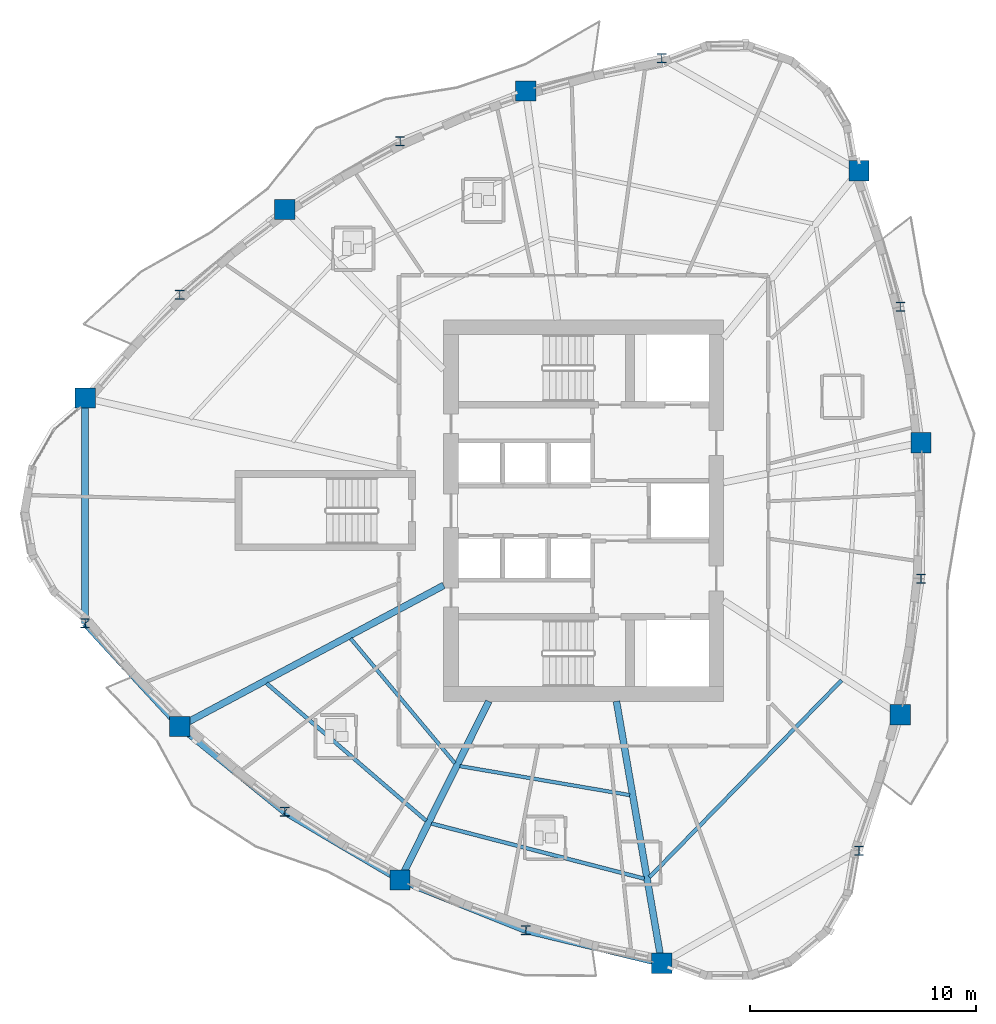
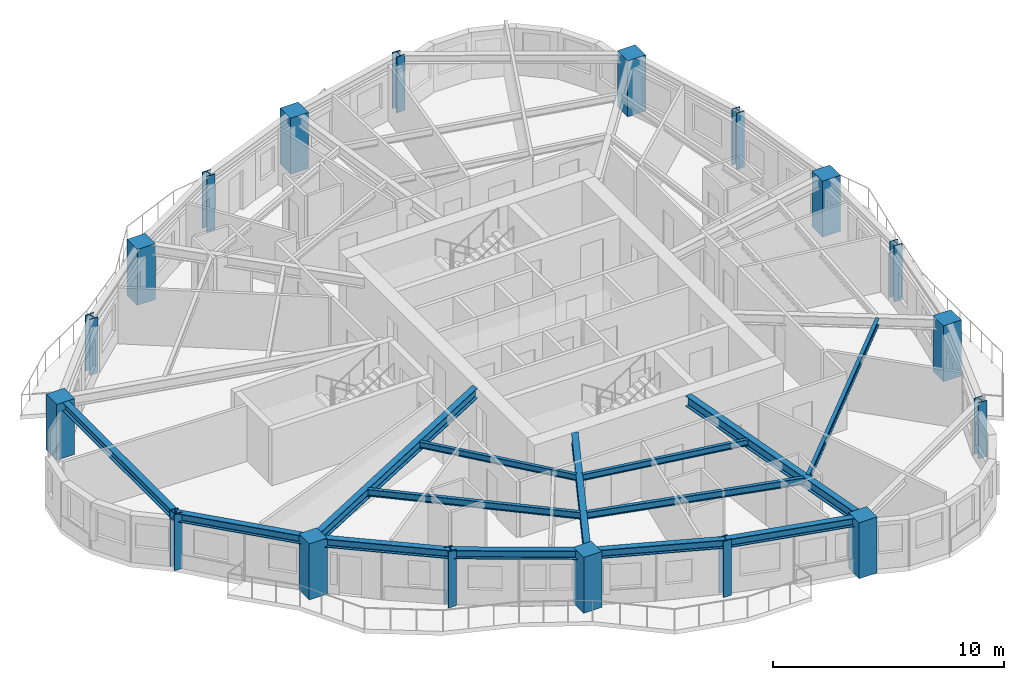
# One storey, part 1 of 14: 18 columns, 14 beams.
"""IFC4 building model written with IfcOpenShell, lengths in metres."""

from ifc_helpers import new_model, si_unit, direction, frame, origin, origin_2d, place, context, subcontext, project, spatial, rectangle, i_section, extrude, source, transform, mapped, material, material_profile, profile_set, type_object, element, save


model = new_model("IFC4")

# Units and contexts
model_context = context("Model", 3, precision=1e-05, world=origin(), true_north=direction((0.0, 1.0)))
body_context = subcontext(model_context, "Body", "Model", "MODEL_VIEW")
ifc_project = project(units=[si_unit("LENGTHUNIT", "METRE"), si_unit("AREAUNIT", "SQUARE_METRE"), si_unit("VOLUMEUNIT", "CUBIC_METRE"), si_unit("PLANEANGLEUNIT", "RADIAN"), si_unit("MASSUNIT", "GRAM", prefix="KILO")], contexts=[model_context])

# Site, building, storey
site_placement = place(None, origin())
site = spatial("IfcSite", under=ifc_project, at=site_placement, CompositionType="ELEMENT")
building_placement = place(site_placement, origin())
building = spatial("IfcBuilding", under=site, at=building_placement, Name="Qafzar Sky-Pleat Residences", CompositionType="ELEMENT")
storey_placement = place(building_placement, frame((0.0, 0.0, 73.60009765625)))
storey = spatial("IfcBuildingStorey", under=building, at=storey_placement, Name="L21", CompositionType="ELEMENT", Elevation=73.60009765625)

# Columns
ifc_material_1 = material(Name="Concrete C60/75", Category="concrete")
ifc_material_profile_1 = material_profile(ifc_material_1, rectangle(XDim=0.89990234375, YDim=0.89990234375, at=origin_2d()), Name="RC 900x900")
ifc_profile_set_1 = profile_set([ifc_material_profile_1], Name="Concrete C60/75")
column_type_1 = type_object("IfcColumnType", Name="COL-RC-900", PredefinedType="COLUMN", material=ifc_profile_set_1)
shared_shape_1 = source(origin(), body_context, "Body", "SweptSolid", [
    extrude(rectangle(XDim=0.89990234375, YDim=0.89990234375, at=origin_2d()), origin(), (0.0, 0.0, 1.0), 2.949951171875),
])
for number, where, z_axis, x_axis, name in (
    (1, (8.255859375, 30.99658203125, 0.0), (0.0, 0.0, 1.0), (1.0, 0.0, 0.0), "L21 Perimeter Mega Column 1"),
    (2, (12.451416015625, 16.436279296875, 0.0), (0.0, 0.0, 1.0), (1.0, 0.0, 0.0), "L21 Perimeter Mega Column 3"),
    (3, (22.217041015625, 9.632568359375, 0.0), (0.0, 0.0, 1.0), (1.0, 0.0, 0.0), "L21 Perimeter Mega Column 5"),
    (4, (33.814697265625, 5.936767578125, 0.0), (0.0, 0.0, 1.0), (1.0, 0.0, 0.0), "L21 Perimeter Mega Column 7"),
    (5, (44.39208984375, 16.9599609375, 0.0), (0.0, 0.0, 1.0), (1.0, 0.0, 0.0), "L21 Perimeter Mega Column 9"),
    (6, (45.30810546875, 29.013427734375, 0.0), (0.0, 0.0, 1.0), (1.0, 0.0, 0.0), "L21 Perimeter Mega Column 11"),
    (7, (42.56005859375, 41.06689453125, 0.0), (0.0, 0.0, 1.0), (1.0, 0.0, 0.0), "L21 Perimeter Mega Column 13"),
    (8, (27.786865234375, 44.60400390625, 0.0), (0.0, 0.0, 1.0), (1.0, 0.0, 0.0), "L21 Perimeter Mega Column 15"),
    (9, (17.105224609375, 39.354248046875, 0.0), (0.0, 0.0, 1.0), (1.0, 0.0, 0.0), "L21 Perimeter Mega Column 17"),
):
    element("IfcColumn", number, at=place(storey_placement, frame(where, z_axis=z_axis, x_axis=x_axis)), inside=storey, type_object=column_type_1, Name=name, PredefinedType="COLUMN", context=body_context, shape_type="MappedRepresentation", body=[
        mapped(shared_shape_1, transform((0.0, 0.0, 0.0), x_axis=(1.0, 0.0, 0.0), y_axis=(0.0, 1.0, 0.0), z_axis=(0.0, 0.0, 1.0), scale=1.0)),
    ])
ifc_material_2 = material(Name="Steel S460", Category="steel")
ifc_material_profile_2 = material_profile(ifc_material_2, i_section(OverallWidth=0.406005859375, OverallDepth=0.416015625, WebThickness=0.027099609375, FlangeThickness=0.0439453125, FilletRadius=0.014892578125, at=origin_2d()), Name="HD 400x382")
ifc_profile_set_2 = profile_set([ifc_material_profile_2], Name="Steel S460")
column_type_2 = type_object("IfcColumnType", Name="COL-STL-HD382", PredefinedType="PILASTER", material=ifc_profile_set_2)
shared_shape_2 = source(origin(), body_context, "Body", "SweptSolid", [
    extrude(i_section(OverallWidth=0.406005859375, OverallDepth=0.416015625, WebThickness=0.027099609375, FlangeThickness=0.0439453125, FilletRadius=0.014892578125, at=origin_2d()), origin(), (0.0, 0.0, 1.0), 2.949951171875),
])
for number, where, z_axis, x_axis, name in (
    (10, (8.255859375, 21.00341796875, 0.0), (0.0, 0.0, 1.0), (1.0, 0.0, 0.0), "L21 Perimeter Mega Column 2"),
    (11, (17.105224609375, 12.645751953125, 0.0), (0.0, 0.0, 1.0), (1.0, 0.0, 0.0), "L21 Perimeter Mega Column 4"),
    (12, (27.786865234375, 7.39599609375, 0.0), (0.0, 0.0, 1.0), (1.0, 0.0, 0.0), "L21 Perimeter Mega Column 6"),
    (13, (42.56005859375, 10.93310546875, 0.0), (0.0, 0.0, 1.0), (1.0, 0.0, 0.0), "L21 Perimeter Mega Column 8"),
    (14, (45.30810546875, 22.986572265625, 0.0), (0.0, 0.0, 1.0), (1.0, 0.0, 0.0), "L21 Perimeter Mega Column 10"),
    (15, (44.39208984375, 35.0400390625, 0.0), (0.0, 0.0, 1.0), (1.0, 0.0, 0.0), "L21 Perimeter Mega Column 12"),
    (16, (33.814697265625, 46.063232421875, 0.0), (0.0, 0.0, 1.0), (1.0, 0.0, 0.0), "L21 Perimeter Mega Column 14"),
    (17, (22.217041015625, 42.367431640625, 0.0), (0.0, 0.0, 1.0), (1.0, 0.0, 0.0), "L21 Perimeter Mega Column 16"),
    (18, (12.451416015625, 35.563720703125, 0.0), (0.0, 0.0, 1.0), (1.0, 0.0, 0.0), "L21 Perimeter Mega Column 18"),
):
    element("IfcColumn", number, at=place(storey_placement, frame(where, z_axis=z_axis, x_axis=x_axis)), inside=storey, type_object=column_type_2, Name=name, PredefinedType="PILASTER", context=body_context, shape_type="MappedRepresentation", body=[
        mapped(shared_shape_2, transform((0.0, 0.0, 0.0), x_axis=(1.0, 0.0, 0.0), y_axis=(0.0, 1.0, 0.0), z_axis=(0.0, 0.0, 1.0), scale=1.0)),
    ])

# Beams
ifc_material_3 = material(Name="Steel S355", Category="steel")
ifc_material_profile_3 = material_profile(ifc_material_3, i_section(OverallWidth=0.300048828125, OverallDepth=0.449951171875, WebThickness=0.013916015625, FlangeThickness=0.02587890625, FilletRadius=0.027099609375, at=origin_2d()), Name="HEB 450")
ifc_profile_set_3 = profile_set([ifc_material_profile_3], Name="Steel S355")
beam_type_1 = type_object("IfcBeamType", Name="BM-SPAN-HEB450", PredefinedType="SPANDREL", material=ifc_profile_set_3)
shared_shape_3 = source(origin(), body_context, "Body", "SweptSolid", [
    extrude(i_section(OverallWidth=0.300048828125, OverallDepth=0.449951171875, WebThickness=0.013916015625, FlangeThickness=0.02587890625, FilletRadius=0.027099609375, at=origin_2d()), origin(), (0.0, 0.0, 1.0), 9.9931640625),
])
beam_1_placement = place(storey_placement, frame((8.255859375, 30.99658203125, 2.722900390625), z_axis=(0.0, -1.0, 0.0), x_axis=(1.0, 0.0, 0.0)))
element("IfcBeam", 19, at=beam_1_placement, inside=storey, type_object=beam_type_1, Name="L21 Perimeter Spandrel Beam 1", PredefinedType="SPANDREL", context=body_context, shape_type="MappedRepresentation", body=[
    mapped(shared_shape_3, transform((0.0, 0.0, 0.0), x_axis=(1.0, 0.0, 0.0), y_axis=(0.0, 1.0, 0.0), z_axis=(0.0, 0.0, 1.0), scale=1.0)),
])
shared_shape_4 = source(origin(), body_context, "Body", "SweptSolid", [
    extrude(i_section(OverallWidth=0.300048828125, OverallDepth=0.449951171875, WebThickness=0.013916015625, FlangeThickness=0.02587890625, FilletRadius=0.027099609375, at=origin_2d()), origin(), (0.0, 0.0, 1.0), 6.20166015625),
])
beam_2_placement = place(storey_placement, frame((8.255859375, 21.00341796875, 2.722900390625), z_axis=(0.676513948363, -0.736429818564, 0.0), x_axis=(0.736429818564, 0.676513948363, 0.0)))
element("IfcBeam", 20, at=beam_2_placement, inside=storey, type_object=beam_type_1, Name="L21 Perimeter Spandrel Beam 2", PredefinedType="SPANDREL", context=body_context, shape_type="MappedRepresentation", body=[
    mapped(shared_shape_4, transform((0.0, 0.0, 0.0), x_axis=(1.0, 0.0, 0.0), y_axis=(0.0, 1.0, 0.0), z_axis=(0.0, 0.0, 1.0), scale=1.0)),
])
shared_shape_5 = source(origin(), body_context, "Body", "SweptSolid", [
    extrude(i_section(OverallWidth=0.300048828125, OverallDepth=0.449951171875, WebThickness=0.013916015625, FlangeThickness=0.02587890625, FilletRadius=0.027099609375, at=origin_2d()), origin(), (0.0, 0.0, 1.0), 6.002197265625),
])
for number, where, z_axis, x_axis, name in (
    (21, (12.451416015625, 16.436279296875, 2.722900390625), (0.775354482876, -0.631526266978, 0.0), (0.631526266978, 0.775354482876, 0.0), "L21 Perimeter Spandrel Beam 3"),
    (22, (22.217041015625, 9.632568359375, 2.722900390625), (0.927979334947, -0.372631659834, 0.0), (0.372631659834, 0.927979334947, 0.0), "L21 Perimeter Spandrel Beam 5"),
):
    element("IfcBeam", number, at=place(storey_placement, frame(where, z_axis=z_axis, x_axis=x_axis)), inside=storey, type_object=beam_type_1, Name=name, PredefinedType="SPANDREL", context=body_context, shape_type="MappedRepresentation", body=[
        mapped(shared_shape_5, transform((0.0, 0.0, 0.0), x_axis=(1.0, 0.0, 0.0), y_axis=(0.0, 1.0, 0.0), z_axis=(0.0, 0.0, 1.0), scale=1.0)),
    ])
shared_shape_6 = source(origin(), body_context, "Body", "SweptSolid", [
    extrude(i_section(OverallWidth=0.300048828125, OverallDepth=0.449951171875, WebThickness=0.013916015625, FlangeThickness=0.02587890625, FilletRadius=0.027099609375, at=origin_2d()), origin(), (0.0, 0.0, 1.0), 5.933837890625),
])
beam_3_placement = place(storey_placement, frame((17.105224609375, 12.645751953125, 2.722900390625), z_axis=(0.861474825081, -0.507800281362, 0.0), x_axis=(0.507800281362, 0.861474825081, 0.0)))
element("IfcBeam", 23, at=beam_3_placement, inside=storey, type_object=beam_type_1, Name="L21 Perimeter Spandrel Beam 4", PredefinedType="SPANDREL", context=body_context, shape_type="MappedRepresentation", body=[
    mapped(shared_shape_6, transform((0.0, 0.0, 0.0), x_axis=(1.0, 0.0, 0.0), y_axis=(0.0, 1.0, 0.0), z_axis=(0.0, 0.0, 1.0), scale=1.0)),
])
shared_shape_7 = source(origin(), body_context, "Body", "SweptSolid", [
    extrude(i_section(OverallWidth=0.300048828125, OverallDepth=0.449951171875, WebThickness=0.013916015625, FlangeThickness=0.02587890625, FilletRadius=0.027099609375, at=origin_2d()), origin(), (0.0, 0.0, 1.0), 6.201904296875),
])
beam_4_placement = place(storey_placement, frame((27.786865234375, 7.39599609375, 2.722900390625), z_axis=(0.971926258737, -0.235285672275, 0.0), x_axis=(0.235285672275, 0.971926258737, 0.0)))
element("IfcBeam", 24, at=beam_4_placement, inside=storey, type_object=beam_type_1, Name="L21 Perimeter Spandrel Beam 6", PredefinedType="SPANDREL", context=body_context, shape_type="MappedRepresentation", body=[
    mapped(shared_shape_7, transform((0.0, 0.0, 0.0), x_axis=(1.0, 0.0, 0.0), y_axis=(0.0, 1.0, 0.0), z_axis=(0.0, 0.0, 1.0), scale=1.0)),
])
ifc_material_profile_4 = material_profile(ifc_material_3, i_section(OverallWidth=0.300048828125, OverallDepth=0.550048828125, WebThickness=0.014892578125, FlangeThickness=0.029052734375, FilletRadius=0.027099609375, at=origin_2d()), Name="HEB 550")
ifc_profile_set_4 = profile_set([ifc_material_profile_4], Name="Steel S355")
beam_type_2 = type_object("IfcBeamType", Name="BM-GIRD-HEB550", PredefinedType="BEAM", material=ifc_profile_set_4)
shared_shape_8 = source(origin(), body_context, "Body", "SweptSolid", [
    extrude(i_section(OverallWidth=0.300048828125, OverallDepth=0.550048828125, WebThickness=0.014892578125, FlangeThickness=0.029052734375, FilletRadius=0.027099609375, at=origin_2d()), origin(), (0.0, 0.0, 1.0), 13.263671875),
])
beam_5_placement = place(storey_placement, frame((12.451416015625, 16.436279296875, 2.6728515625), z_axis=(0.881991426805, 0.471265448598, 0.0), x_axis=(-0.471265448598, 0.881991426805, 0.0)))
element("IfcBeam", 25, at=beam_5_placement, inside=storey, type_object=beam_type_2, Name="L21 Radial Floor Girder 3", PredefinedType="BEAM", context=body_context, shape_type="MappedRepresentation", body=[
    mapped(shared_shape_8, transform((0.0, 0.0, 0.0), x_axis=(1.0, 0.0, 0.0), y_axis=(0.0, 1.0, 0.0), z_axis=(0.0, 0.0, 1.0), scale=1.0)),
])
shared_shape_9 = source(origin(), body_context, "Body", "SweptSolid", [
    extrude(i_section(OverallWidth=0.300048828125, OverallDepth=0.550048828125, WebThickness=0.014892578125, FlangeThickness=0.029052734375, FilletRadius=0.027099609375, at=origin_2d()), origin(), (0.0, 0.0, 1.0), 8.841064453125),
])
beam_6_placement = place(storey_placement, frame((22.217041015625, 9.632568359375, 2.6728515625), z_axis=(0.444980947877, 0.895540035971, 0.0), x_axis=(-0.895540035971, 0.444980947877, 0.0)))
element("IfcBeam", 26, at=beam_6_placement, inside=storey, type_object=beam_type_2, Name="L21 Radial Floor Girder 5", PredefinedType="BEAM", context=body_context, shape_type="MappedRepresentation", body=[
    mapped(shared_shape_9, transform((0.0, 0.0, 0.0), x_axis=(1.0, 0.0, 0.0), y_axis=(0.0, 1.0, 0.0), z_axis=(0.0, 0.0, 1.0), scale=1.0)),
])
shared_shape_10 = source(origin(), body_context, "Body", "SweptSolid", [
    extrude(i_section(OverallWidth=0.300048828125, OverallDepth=0.550048828125, WebThickness=0.014892578125, FlangeThickness=0.029052734375, FilletRadius=0.027099609375, at=origin_2d()), origin(), (0.0, 0.0, 1.0), 11.78515625),
])
beam_7_placement = place(storey_placement, frame((33.814697265625, 5.936767578125, 2.6728515625), z_axis=(-0.170180928842, 0.985412833009, 0.0), x_axis=(-0.985412833009, -0.170180928842, 0.0)))
element("IfcBeam", 27, at=beam_7_placement, inside=storey, type_object=beam_type_2, Name="L21 Radial Floor Girder 7", PredefinedType="BEAM", context=body_context, shape_type="MappedRepresentation", body=[
    mapped(shared_shape_10, transform((0.0, 0.0, 0.0), x_axis=(1.0, 0.0, 0.0), y_axis=(0.0, 1.0, 0.0), z_axis=(0.0, 0.0, 1.0), scale=1.0)),
])
ifc_material_profile_5 = material_profile(ifc_material_3, i_section(OverallWidth=0.169921875, OverallDepth=0.360107421875, WebThickness=0.008056640625, FlangeThickness=0.0126953125, FilletRadius=0.01806640625, at=origin_2d()), Name="IPE 360")
ifc_profile_set_5 = profile_set([ifc_material_profile_5], Name="Steel S355")
beam_type_3 = type_object("IfcBeamType", Name="BM-JST-IPE360", PredefinedType="JOIST", material=ifc_profile_set_5)
shared_shape_11 = source(origin(), body_context, "Body", "SweptSolid", [
    extrude(i_section(OverallWidth=0.169921875, OverallDepth=0.360107421875, WebThickness=0.008056640625, FlangeThickness=0.0126953125, FilletRadius=0.01806640625, at=origin_2d()), origin(), (0.0, 0.0, 1.0), 9.3388671875),
])
beam_8_placement = place(storey_placement, frame((16.29736328125, 18.348388671875, 2.767822265625), z_axis=(0.757733971928, -0.652563581413, 0.0), x_axis=(0.652563581413, 0.757733971928, 0.0)))
element("IfcBeam", 28, at=beam_8_placement, inside=storey, type_object=beam_type_3, Name="L21 Outer Secondary Floor Joist 2", PredefinedType="JOIST", context=body_context, shape_type="MappedRepresentation", body=[
    mapped(shared_shape_11, transform((0.0, 0.0, 0.0), x_axis=(1.0, 0.0, 0.0), y_axis=(0.0, 1.0, 0.0), z_axis=(0.0, 0.0, 1.0), scale=1.0)),
])
shared_shape_12 = source(origin(), body_context, "Body", "SweptSolid", [
    extrude(i_section(OverallWidth=0.169921875, OverallDepth=0.360107421875, WebThickness=0.008056640625, FlangeThickness=0.0126953125, FilletRadius=0.01806640625, at=origin_2d()), origin(), (0.0, 0.0, 1.0), 9.747314453125),
])
beam_9_placement = place(storey_placement, frame((23.606689453125, 12.132080078125, 2.767822265625), z_axis=(0.968020331334, -0.25087175633, 0.0), x_axis=(0.25087175633, 0.968020331334, 0.0)))
element("IfcBeam", 29, at=beam_9_placement, inside=storey, type_object=beam_type_3, Name="L21 Outer Secondary Floor Joist 3", PredefinedType="JOIST", context=body_context, shape_type="MappedRepresentation", body=[
    mapped(shared_shape_12, transform((0.0, 0.0, 0.0), x_axis=(1.0, 0.0, 0.0), y_axis=(0.0, 1.0, 0.0), z_axis=(0.0, 0.0, 1.0), scale=1.0)),
])
shared_shape_13 = source(origin(), body_context, "Body", "SweptSolid", [
    extrude(i_section(OverallWidth=0.169921875, OverallDepth=0.360107421875, WebThickness=0.008056640625, FlangeThickness=0.0126953125, FilletRadius=0.01806640625, at=origin_2d()), origin(), (0.0, 0.0, 1.0), 12.19873046875),
])
beam_10_placement = place(storey_placement, frame((33.26708984375, 9.74951171875, 2.767822265625), z_axis=(0.698529648879, 0.715581113248, 0.0), x_axis=(-0.715581113248, 0.698529648879, 0.0)))
element("IfcBeam", 30, at=beam_10_placement, inside=storey, type_object=beam_type_3, Name="L21 Outer Secondary Floor Joist 4", PredefinedType="JOIST", context=body_context, shape_type="MappedRepresentation", body=[
    mapped(shared_shape_13, transform((0.0, 0.0, 0.0), x_axis=(1.0, 0.0, 0.0), y_axis=(0.0, 1.0, 0.0), z_axis=(0.0, 0.0, 1.0), scale=1.0)),
])
ifc_material_profile_6 = material_profile(ifc_material_3, i_section(OverallWidth=0.159912109375, OverallDepth=0.330078125, WebThickness=0.007568359375, FlangeThickness=0.011474609375, FilletRadius=0.01806640625, at=origin_2d()), Name="IPE 330")
ifc_profile_set_6 = profile_set([ifc_material_profile_6], Name="Steel S355")
beam_type_4 = type_object("IfcBeamType", Name="BM-JST-IPE330", PredefinedType="JOIST", material=ifc_profile_set_6)
shared_shape_14 = source(origin(), body_context, "Body", "SweptSolid", [
    extrude(i_section(OverallWidth=0.159912109375, OverallDepth=0.330078125, WebThickness=0.007568359375, FlangeThickness=0.011474609375, FilletRadius=0.01806640625, at=origin_2d()), origin(), (0.0, 0.0, 1.0), 7.2080078125),
])
beam_11_placement = place(storey_placement, frame((20.025146484375, 20.333251953125, 2.782958984375), z_axis=(0.641386322743, -0.767218081772, 0.0), x_axis=(0.767218081772, 0.641386322743, 0.0)))
element("IfcBeam", 31, at=beam_11_placement, inside=storey, type_object=beam_type_4, Name="L21 Inner Secondary Floor Joist 2", PredefinedType="JOIST", context=body_context, shape_type="MappedRepresentation", body=[
    mapped(shared_shape_14, transform((0.0, 0.0, 0.0), x_axis=(1.0, 0.0, 0.0), y_axis=(0.0, 1.0, 0.0), z_axis=(0.0, 0.0, 1.0), scale=1.0)),
])
shared_shape_15 = source(origin(), body_context, "Body", "SweptSolid", [
    extrude(i_section(OverallWidth=0.159912109375, OverallDepth=0.330078125, WebThickness=0.007568359375, FlangeThickness=0.011474609375, FilletRadius=0.01806640625, at=origin_2d()), origin(), (0.0, 0.0, 1.0), 7.63916015625),
])
beam_12_placement = place(storey_placement, frame((24.867919921875, 14.677001953125, 2.782958984375), z_axis=(0.985747285865, -0.168232839865, 0.0), x_axis=(0.168232839865, 0.985747285865, 0.0)))
element("IfcBeam", 32, at=beam_12_placement, inside=storey, type_object=beam_type_4, Name="L21 Inner Secondary Floor Joist 3", PredefinedType="JOIST", context=body_context, shape_type="MappedRepresentation", body=[
    mapped(shared_shape_15, transform((0.0, 0.0, 0.0), x_axis=(1.0, 0.0, 0.0), y_axis=(0.0, 1.0, 0.0), z_axis=(0.0, 0.0, 1.0), scale=1.0)),
])

save(model, "model.ifc")
